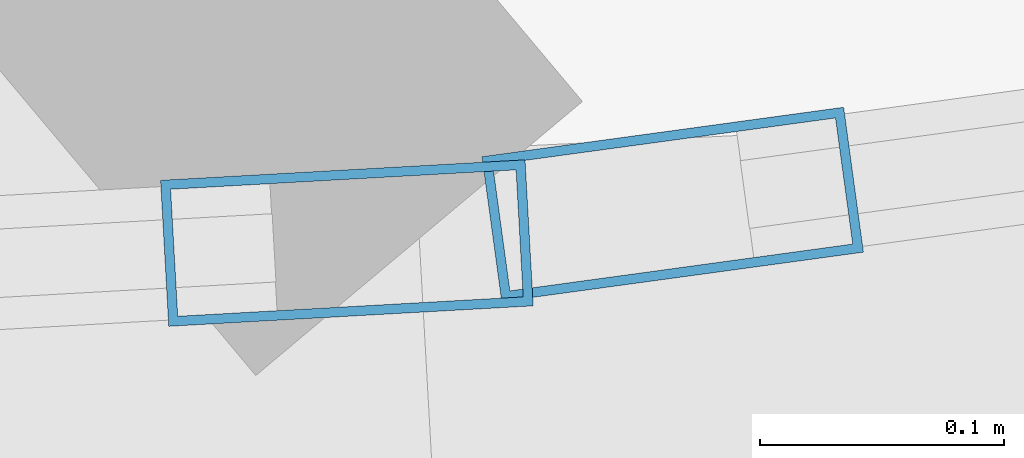
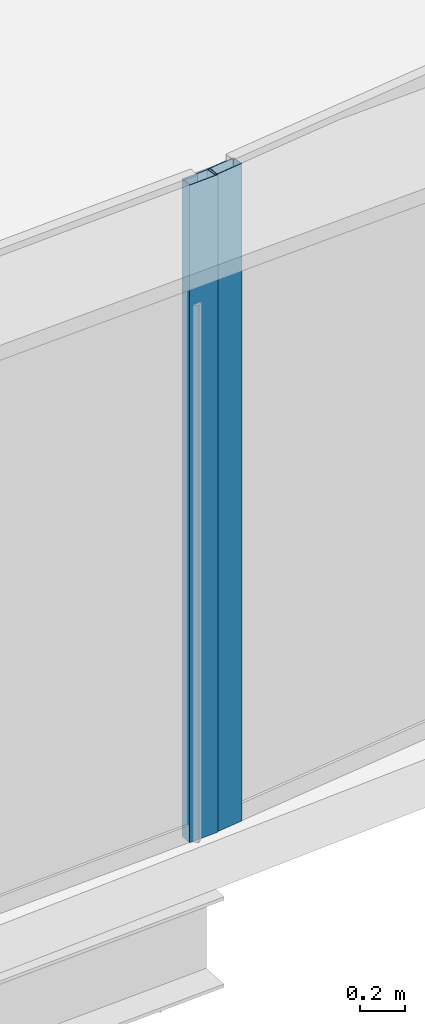
# One storey, part 14 of 37: 2 members, 2 elements without a shape of their own.
"""IFC4 building model written with IfcOpenShell, lengths in metres."""

from ifc_helpers import new_model, si_unit, direction, frame, origin, origin_2d, place, context, subcontext, project, spatial, hollow_rectangle, extrude, source, transform, mapped, material, layer, layer_set, material_profile, profile_set, type_object, element, aggregate, save


model = new_model("IFC4")

# Units and contexts
model_context = context("Model", 3, precision=1e-05, world=origin(), true_north=direction((0.0, 1.0)))
body_context = subcontext(model_context, "Body", "Model", "MODEL_VIEW")
ifc_project = project(units=[si_unit("LENGTHUNIT", "METRE"), si_unit("AREAUNIT", "SQUARE_METRE"), si_unit("VOLUMEUNIT", "CUBIC_METRE"), si_unit("PLANEANGLEUNIT", "RADIAN"), si_unit("MASSUNIT", "GRAM", prefix="KILO"), si_unit("THERMODYNAMICTEMPERATUREUNIT", "KELVIN"), si_unit("POWERUNIT", "WATT")], contexts=[model_context])

# Site, building, storey
site_placement = place(None, origin())
site = spatial("IfcSite", under=ifc_project, at=site_placement, CompositionType="ELEMENT")
building_placement = place(site_placement, origin())
building = spatial("IfcBuilding", under=site, at=building_placement, Name="Yunzhuo Pagoda Commons", CompositionType="ELEMENT")
storey_placement = place(building_placement, frame((0.0, 0.0, 199.9599609375)))
storey = spatial("IfcBuildingStorey", under=building, at=storey_placement, Name="L50", CompositionType="ELEMENT", Elevation=199.9599609375)

# Curtain wall, member
ifc_material = material(Name="Anodized aluminium 6063-T6", Category="aluminium")
ifc_layer = layer(ifc_material, 0.14990234375)
ifc_layer_set = layer_set([ifc_layer], Name="Anodized aluminium 6063-T6")
curtain_wall_type = type_object("IfcCurtainWallType", Name="CW-MID Mid-Zone Ribbon Curtain Wall", PredefinedType="NOTDEFINED", material=ifc_layer_set)
curtain_wall_1_placement = place(storey_placement, origin())
curtain_wall_1 = element("IfcCurtainWall", 1, at=curtain_wall_1_placement, inside=storey, type_object=curtain_wall_type, Name="L50 curtain wall CW-L50-F1B4", PredefinedType="NOTDEFINED")
ifc_material_profile = material_profile(ifc_material, hollow_rectangle(XDim=0.06005859375, YDim=0.14990234375, WallThickness=0.00390625, at=origin_2d()), Name="Anodized aluminium 6063-T6")
ifc_profile_set = profile_set([ifc_material_profile], Name="Anodized aluminium 6063-T6")
member_type = type_object("IfcMemberType", Name="CW-MID-M Mullion RHS 150x60x4", PredefinedType="MULLION", material=ifc_profile_set)
shared_shape = source(origin(), body_context, "Body", "SweptSolid", [
    extrude(hollow_rectangle(XDim=0.06005859375, YDim=0.14990234375, WallThickness=0.00390625, at=origin_2d()), origin(), (0.0, 0.0, 1.0), 3.5400390625),
])
member_1_placement = place(storey_placement, frame((63.804931640625, 14.827392578125, 0.0), z_axis=(0.0, 0.0, 1.0), x_axis=(-0.055982959182, 0.998431724396, 0.0)))
member_1 = element("IfcMember", 2, at=member_1_placement, type_object=member_type, Name="CW mullion 2", PredefinedType="MULLION", context=body_context, shape_type="MappedRepresentation", body=[
    mapped(shared_shape, transform((0.0, 0.0, 0.0), scale=1.0)),
])
aggregate(curtain_wall_1, [member_1])

curtain_wall_2_placement = place(storey_placement, origin())
curtain_wall_2 = element("IfcCurtainWall", 3, at=curtain_wall_2_placement, inside=storey, type_object=curtain_wall_type, Name="L50 curtain wall CW-L50-F1B5", PredefinedType="NOTDEFINED")
member_2_placement = place(storey_placement, frame((63.938720703125, 14.84326171875, 0.0), z_axis=(0.0, 0.0, 1.0), x_axis=(-0.135312015534, 0.990803037163, 0.0)))
member_2 = element("IfcMember", 4, at=member_2_placement, type_object=member_type, Name="CW mullion 1", PredefinedType="MULLION", context=body_context, shape_type="MappedRepresentation", body=[
    mapped(shared_shape, transform((0.0, 0.0, 0.0), scale=1.0)),
])
aggregate(curtain_wall_2, [member_2])

save(model, "model.ifc")
